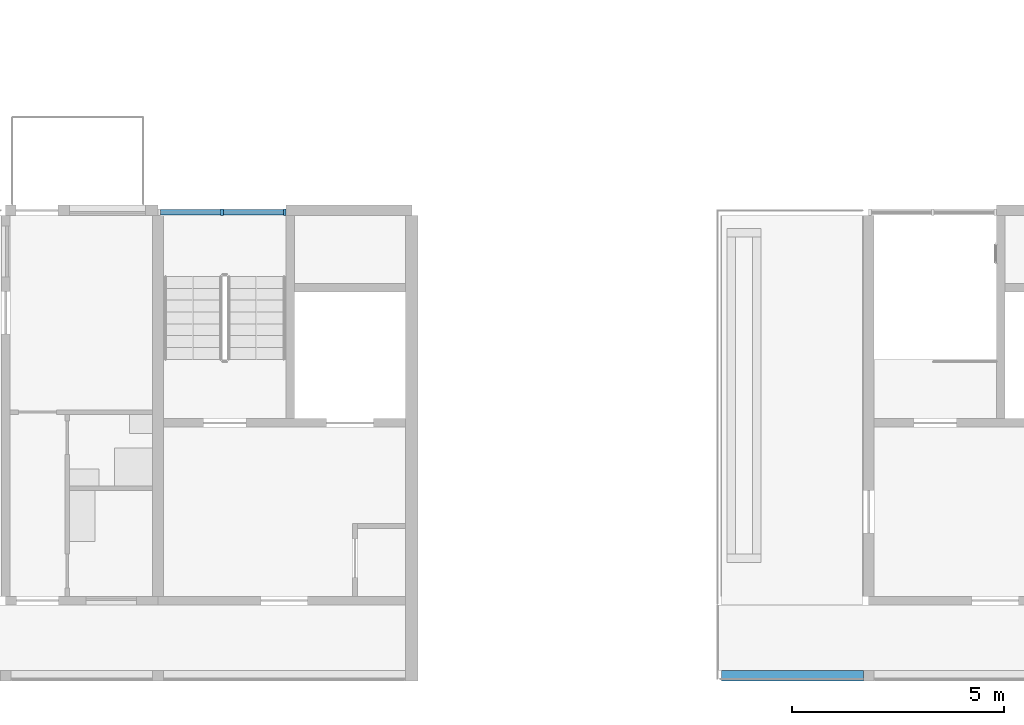
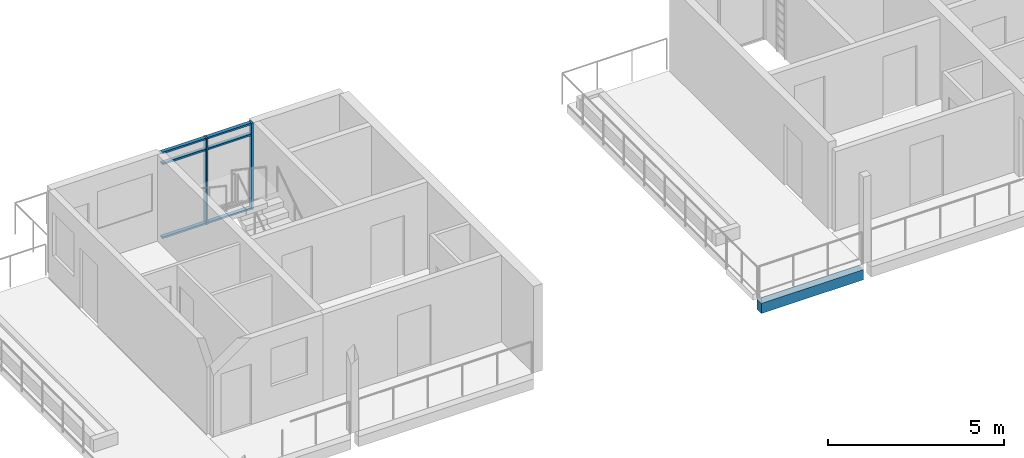
# One storey, part 8 of 41: 8 members, 1 beam, 1 element without a shape of its own.
"""IFC4 building model written with IfcOpenShell, lengths in metres."""

from ifc_helpers import new_model, si_unit, direction, frame, origin, origin_2d, place, context, subcontext, project, spatial, rectangle, extrude, material, material_profile, profile_set, type_object, element, aggregate, save


model = new_model("IFC4")

# Units and contexts
model_context = context("Model", 3, precision=1e-05, world=origin(), true_north=direction((0.0, 1.0)))
body_context = subcontext(model_context, "Body", "Model", "MODEL_VIEW")
ifc_project = project(units=[si_unit("LENGTHUNIT", "METRE"), si_unit("AREAUNIT", "SQUARE_METRE"), si_unit("VOLUMEUNIT", "CUBIC_METRE"), si_unit("PLANEANGLEUNIT", "RADIAN"), si_unit("MASSUNIT", "GRAM", prefix="KILO")], contexts=[model_context])

# Site, building, storey
site_placement = place(None, origin())
site = spatial("IfcSite", under=ifc_project, at=site_placement, CompositionType="ELEMENT")
building_placement = place(site_placement, origin())
building = spatial("IfcBuilding", under=site, at=building_placement, Name="Ridgestep Commons", CompositionType="ELEMENT")
storey_placement = place(building_placement, frame((0.0, 0.0, 39.0)))
storey = spatial("IfcBuildingStorey", under=building, at=storey_placement, Name="L13", CompositionType="ELEMENT", Elevation=39.0)

# Beam
ifc_material_1 = material(Name="Precast concrete C40/50", Category="concrete")
ifc_material_profile_1 = material_profile(ifc_material_1, rectangle(XDim=0.25, YDim=0.35009765625, at=origin_2d()), Name="PC 250x350")
ifc_profile_set_1 = profile_set([ifc_material_profile_1], Name="Precast concrete C40/50")
beam_type = type_object("IfcBeamType", Name="Loggia edge beam 250 x 350", PredefinedType="SPANDREL", material=ifc_profile_set_1)
beam_placement = place(storey_placement, frame((204.52490234375, 11.875, -0.375), z_axis=(1.0, 0.0, 0.0), x_axis=(0.0, 1.0, 0.0)))
element("IfcBeam", 1, at=beam_placement, inside=storey, type_object=beam_type, Name="Loggia edge beam D4T3 L13", PredefinedType="SPANDREL", context=body_context, shape_type="SweptSolid", body=[
    extrude(rectangle(XDim=0.25, YDim=0.35009765625, at=origin_2d()), origin(), (0.0, 0.0, 1.0), 3.35009765625),
])

# Curtain wall, members
ifc_material_2 = material(Name="Aluminium 6063-T6 and glass", Category="aluminium")
curtain_wall_type = type_object("IfcCurtainWallType", Name="Curtain wall stair strip", PredefinedType="NOTDEFINED", material=ifc_material_2)
curtain_wall_placement = place(storey_placement, origin())
curtain_wall = element("IfcCurtainWall", 2, at=curtain_wall_placement, inside=storey, type_object=curtain_wall_type, Name="Curtain wall D3C level 13", PredefinedType="NOTDEFINED")
ifc_material_3 = material(Name="Aluminium 6063-T6", Category="aluminium")
ifc_material_profile_2 = material_profile(ifc_material_3, rectangle(XDim=0.159912109375, YDim=0.06005859375, at=origin_2d()), Name="Mullion 60 x 160")
ifc_profile_set_2 = profile_set([ifc_material_profile_2], Name="Aluminium 6063-T6")
member_type_1 = type_object("IfcMemberType", Name="Mullion 60 x 160", PredefinedType="MULLION", material=ifc_profile_set_2)
member_1_placement = place(storey_placement, frame((192.71240234375, 22.830078125, 0.0), z_axis=(0.0, 0.0, 1.0), x_axis=(0.0, 1.0, 0.0)))
member_1 = element("IfcMember", 3, at=member_1_placement, type_object=member_type_1, Name="CW1 mullion 2", PredefinedType="MULLION", context=body_context, shape_type="SweptSolid", body=[
    extrude(rectangle(XDim=0.159912109375, YDim=0.06005859375, at=origin_2d()), origin(), (0.0, 0.0, 1.0), 3.0),
])
member_2_placement = place(storey_placement, frame((194.195068359375, 22.830078125, 0.0), z_axis=(0.0, 0.0, 1.0), x_axis=(0.0, 1.0, 0.0)))
member_2 = element("IfcMember", 4, at=member_2_placement, type_object=member_type_1, Name="CW1 mullion 3", PredefinedType="MULLION", context=body_context, shape_type="SweptSolid", body=[
    extrude(rectangle(XDim=0.159912109375, YDim=0.06005859375, at=origin_2d()), origin(), (0.0, 0.0, 1.0), 3.0),
])
ifc_material_4 = material(Name="Aluminium 6063-T6", Category="aluminium")
ifc_material_profile_3 = material_profile(ifc_material_4, rectangle(XDim=0.1201171875, YDim=0.06005859375, at=origin_2d()), Name="Transom 60 x 120")
ifc_profile_set_3 = profile_set([ifc_material_profile_3], Name="Aluminium 6063-T6")
member_type_2 = type_object("IfcMemberType", Name="Transom 60 x 120", PredefinedType="USERDEFINED", material=ifc_profile_set_3)
member_3_placement = place(storey_placement, frame((191.260009765625, 22.830078125, 0.030029296875), z_axis=(1.0, 0.0, 0.0), x_axis=(0.0, 1.0, 0.0)))
member_3 = element("IfcMember", 5, at=member_3_placement, type_object=member_type_2, Name="CW1 transom 1.1", ObjectType="TRANSOM", PredefinedType="USERDEFINED", context=body_context, shape_type="SweptSolid", body=[
    extrude(rectangle(XDim=0.1201171875, YDim=0.06005859375, at=origin_2d()), origin(), (0.0, 0.0, 1.0), 1.422607421875),
])
member_4_placement = place(storey_placement, frame((191.260009765625, 22.830078125, 2.590087890625), z_axis=(1.0, 0.0, 0.0), x_axis=(0.0, 1.0, 0.0)))
member_4 = element("IfcMember", 6, at=member_4_placement, type_object=member_type_2, Name="CW1 transom 1.2", ObjectType="TRANSOM", PredefinedType="USERDEFINED", context=body_context, shape_type="SweptSolid", body=[
    extrude(rectangle(XDim=0.1201171875, YDim=0.06005859375, at=origin_2d()), origin(), (0.0, 0.0, 1.0), 1.422607421875),
])
member_5_placement = place(storey_placement, frame((191.260009765625, 22.830078125, 2.969970703125), z_axis=(1.0, 0.0, 0.0), x_axis=(0.0, 1.0, 0.0)))
member_5 = element("IfcMember", 7, at=member_5_placement, type_object=member_type_2, Name="CW1 transom 1.3", ObjectType="TRANSOM", PredefinedType="USERDEFINED", context=body_context, shape_type="SweptSolid", body=[
    extrude(rectangle(XDim=0.1201171875, YDim=0.06005859375, at=origin_2d()), origin(), (0.0, 0.0, 1.0), 1.422607421875),
])
member_6_placement = place(storey_placement, frame((192.742431640625, 22.830078125, 0.030029296875), z_axis=(1.0, 0.0, 0.0), x_axis=(0.0, 1.0, 0.0)))
member_6 = element("IfcMember", 8, at=member_6_placement, type_object=member_type_2, Name="CW1 transom 2.1", ObjectType="TRANSOM", PredefinedType="USERDEFINED", context=body_context, shape_type="SweptSolid", body=[
    extrude(rectangle(XDim=0.1201171875, YDim=0.06005859375, at=origin_2d()), origin(), (0.0, 0.0, 1.0), 1.422607421875),
])
member_7_placement = place(storey_placement, frame((192.742431640625, 22.830078125, 2.590087890625), z_axis=(1.0, 0.0, 0.0), x_axis=(0.0, 1.0, 0.0)))
member_7 = element("IfcMember", 9, at=member_7_placement, type_object=member_type_2, Name="CW1 transom 2.2", ObjectType="TRANSOM", PredefinedType="USERDEFINED", context=body_context, shape_type="SweptSolid", body=[
    extrude(rectangle(XDim=0.1201171875, YDim=0.06005859375, at=origin_2d()), origin(), (0.0, 0.0, 1.0), 1.422607421875),
])
member_8_placement = place(storey_placement, frame((192.742431640625, 22.830078125, 2.969970703125), z_axis=(1.0, 0.0, 0.0), x_axis=(0.0, 1.0, 0.0)))
member_8 = element("IfcMember", 10, at=member_8_placement, type_object=member_type_2, Name="CW1 transom 2.3", ObjectType="TRANSOM", PredefinedType="USERDEFINED", context=body_context, shape_type="SweptSolid", body=[
    extrude(rectangle(XDim=0.1201171875, YDim=0.06005859375, at=origin_2d()), origin(), (0.0, 0.0, 1.0), 1.422607421875),
])
aggregate(curtain_wall, [member_1, member_2, member_3, member_4, member_5, member_6, member_7, member_8])

save(model, "model.ifc")
